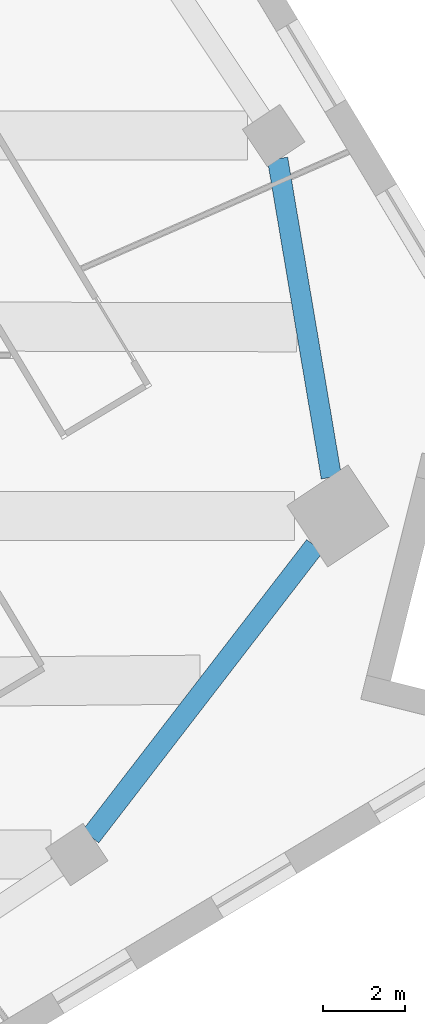
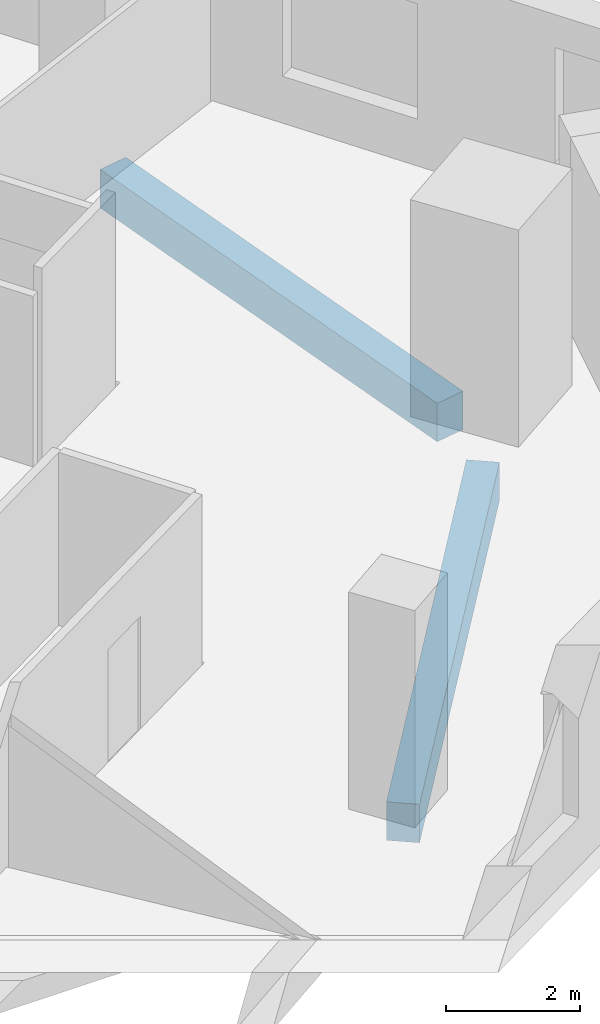
# One storey, part 3 of 14: 2 beams.
"""IFC4 building model written with IfcOpenShell, lengths in metres."""

from ifc_helpers import new_model, si_unit, direction, frame, origin, origin_2d, place, context, subcontext, project, spatial, rectangle, extrude, material, material_profile, profile_set, type_object, element, save


model = new_model("IFC4")

# Units and contexts
model_context = context("Model", 3, precision=1e-05, world=origin(), true_north=direction((0.0, 1.0)))
body_context = subcontext(model_context, "Body", "Model", "MODEL_VIEW")
ifc_project = project(units=[si_unit("LENGTHUNIT", "METRE"), si_unit("AREAUNIT", "SQUARE_METRE"), si_unit("VOLUMEUNIT", "CUBIC_METRE"), si_unit("PLANEANGLEUNIT", "RADIAN"), si_unit("MASSUNIT", "GRAM", prefix="KILO")], contexts=[model_context])

# Site, building, storey
site_placement = place(None, origin())
site = spatial("IfcSite", under=ifc_project, at=site_placement, CompositionType="ELEMENT")
building_placement = place(site_placement, origin())
building = spatial("IfcBuilding", under=site, at=building_placement, Name="Dilmun Exchange Tower", CompositionType="ELEMENT")
storey_placement = place(building_placement, frame((0.0, 0.0, 151.699951171875)))
storey = spatial("IfcBuildingStorey", under=building, at=storey_placement, Name="L35", CompositionType="ELEMENT", Elevation=151.699951171875)

# Beams
ifc_material = material(Name="Concrete C40/50", Category="concrete")
ifc_material_profile = material_profile(ifc_material, rectangle(XDim=0.5, YDim=0.699951171875, at=origin_2d()), Name="500 x 700")
ifc_profile_set = profile_set([ifc_material_profile], Name="Concrete C40/50")
beam_type = type_object("IfcBeamType", Name="RC ring beam 500 x 700 C40/50", PredefinedType="SPANDREL", material=ifc_profile_set)
beam_1_placement = place(storey_placement, frame((25.037109375, -11.819580078125, -0.75), z_axis=(0.610521727247, 0.791999507929, 0.0), x_axis=(-0.791999507929, 0.610521727247, 0.0)))
element("IfcBeam", 1, at=beam_1_placement, inside=storey, type_object=beam_type, Name="Ring beam 12", PredefinedType="SPANDREL", context=body_context, shape_type="SweptSolid", body=[
    extrude(rectangle(XDim=0.5, YDim=0.699951171875, at=origin_2d()), origin(), (0.0, 0.0, 1.0), 8.97314453125),
])
beam_2_placement = place(storey_placement, frame((30.91943359375, -3.036376953125, -0.75), z_axis=(-0.166485785433, 0.986043854628, 0.0), x_axis=(-0.986043854628, -0.166485785433, 0.0)))
element("IfcBeam", 2, at=beam_2_placement, inside=storey, type_object=beam_type, Name="Ring beam 13", PredefinedType="SPANDREL", context=body_context, shape_type="SweptSolid", body=[
    extrude(rectangle(XDim=0.5, YDim=0.699951171875, at=origin_2d()), origin(), (0.0, 0.0, 1.0), 7.890869140625),
])

save(model, "model.ifc")
